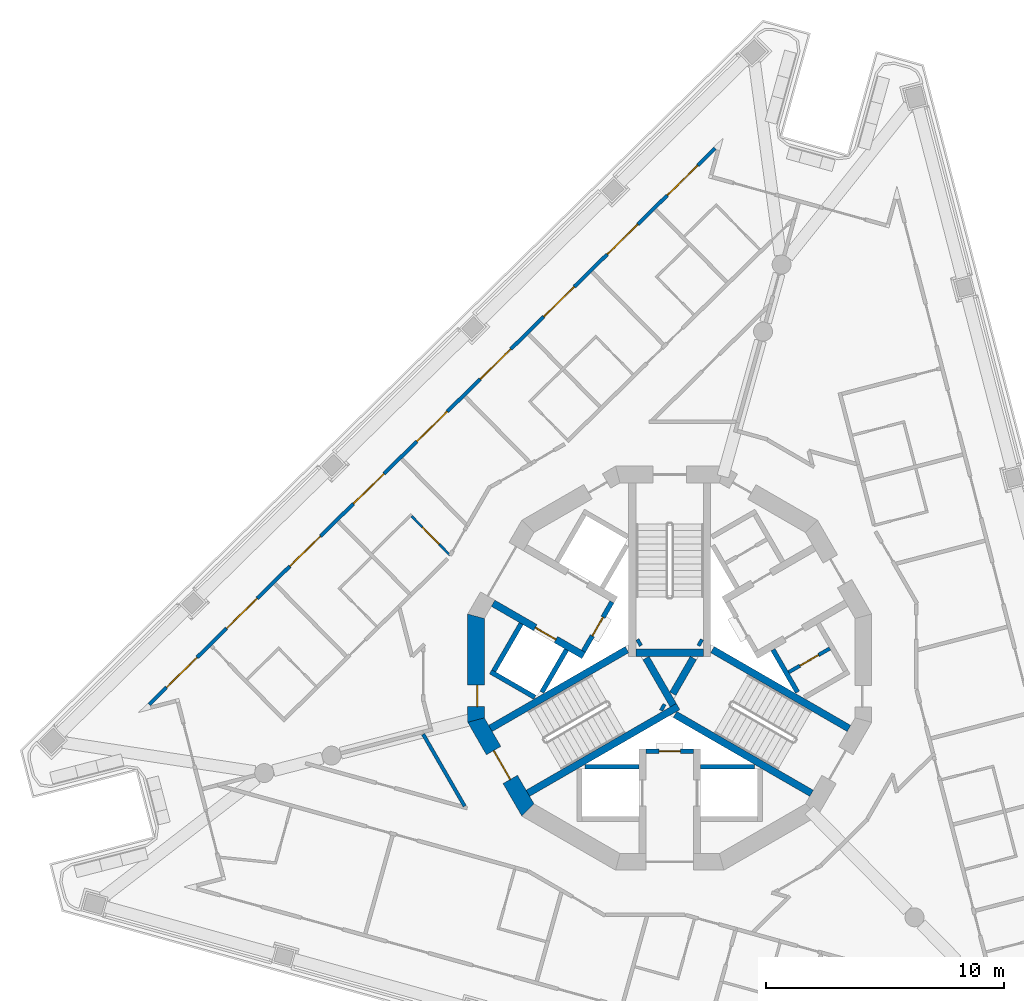
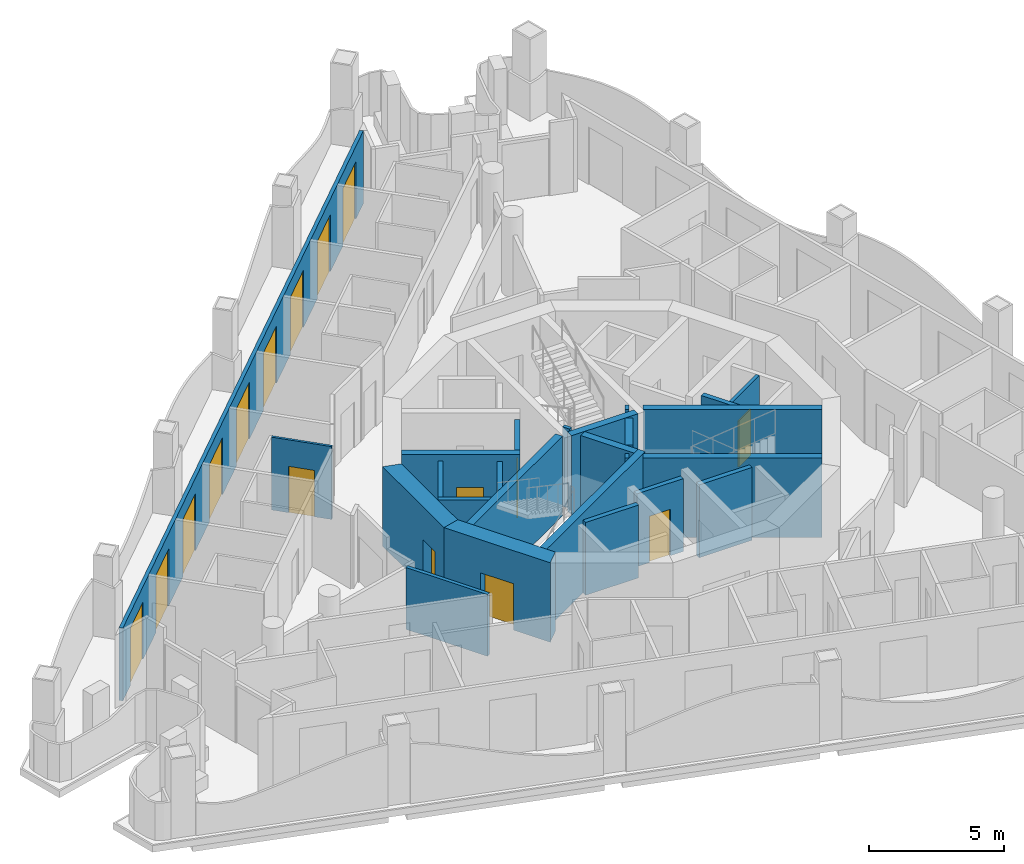
# One storey, part 4 of 14: 25 walls, 16 doors, 16 openings.
"""IFC4 building model written with IfcOpenShell, lengths in metres."""

from ifc_helpers import new_model, si_unit, direction, frame, frame_2d, origin, place, context, subcontext, project, spatial, polyline, rectangle, outline, extrude, material, layer, layer_set, type_object, element, fill, save


model = new_model("IFC4")

# Units and contexts
model_context = context("Model", 3, precision=1e-05, world=origin(), true_north=direction((0.0, 1.0)))
body_context = subcontext(model_context, "Body", "Model", "MODEL_VIEW")
ifc_project = project(units=[si_unit("LENGTHUNIT", "METRE"), si_unit("AREAUNIT", "SQUARE_METRE"), si_unit("VOLUMEUNIT", "CUBIC_METRE"), si_unit("PLANEANGLEUNIT", "RADIAN"), si_unit("MASSUNIT", "GRAM", prefix="KILO")], contexts=[model_context])

# Site, building, storey
site_placement = place(None, origin())
site = spatial("IfcSite", under=ifc_project, at=site_placement, CompositionType="ELEMENT")
building_placement = place(site_placement, origin())
building = spatial("IfcBuilding", under=site, at=building_placement, Name="Trine Commons Tower", CompositionType="ELEMENT")
storey_placement = place(building_placement, frame((0.0, 0.0, 242.10009765625)))
storey = spatial("IfcBuildingStorey", under=building, at=storey_placement, Name="L63", CompositionType="ELEMENT", Elevation=242.10009765625)

# Wall, opening, door
ifc_material_1 = material(Name="Plasterboard partition on steel studs", Category="steel")
ifc_layer_1 = layer(ifc_material_1, 0.14990234375)
ifc_layer_set_1 = layer_set([ifc_layer_1], Name="Plasterboard partition on steel studs")
wall_type_1 = type_object("IfcWallType", Name="Core room partition 150 mm, EI 60", PredefinedType="PARTITIONING", material=ifc_layer_set_1)
wall_1_placement = place(storey_placement, frame((85.006103515625, 62.330078125, 0.0), z_axis=(0.0, 0.0, 1.0), x_axis=(0.866010750942, 0.50002537861, 0.0)))
wall_1 = element("IfcWall", 1, at=wall_1_placement, inside=storey, type_object=wall_type_1, Name="Core room partition L63", PredefinedType="PARTITIONING", context=body_context, shape_type="SweptSolid", body=[
    extrude(rectangle(XDim=2.0, YDim=0.14990234375, at=frame_2d((1.0, 0.0))), origin(), (0.0, 0.0, 1.0), 3.2998046875),
])
opening_1_placement = place(wall_1_placement, frame((0.549560546875, 0.0, 0.0)))
opening_1 = element("IfcOpeningElement", 2, at=opening_1_placement, cuts=wall_1, Name="Opening K15.13", PredefinedType="OPENING", context=body_context, shape_type="SweptSolid", body=[
    extrude(rectangle(XDim=0.89990234375, YDim=2.10009765625, at=frame_2d((0.449951171875, 1.050048828125))), frame((0.0, 0.0849609375, 0.0), z_axis=(0.0, -1.0, 0.0), x_axis=(1.0, 0.0, 0.0)), (0.0, 0.0, 1.0), 0.169921875),
])
ifc_material_2 = material(Name="Steel door leaf, fire-rated", Category="steel")
door_type_1 = type_object("IfcDoorType", Name="Core room door, single leaf 900 x 2100, FD30S", OperationType="SINGLE_SWING_LEFT", PredefinedType="DOOR", material=ifc_material_2)
door_1_placement = place(opening_1_placement, frame((0.89990234375, 0.0, 0.0), z_axis=(0.0, 0.0, 1.0), x_axis=(-1.0, 0.0, 0.0)))
door_1 = element("IfcDoor", 3, at=door_1_placement, inside=storey, type_object=door_type_1, Name="Door to Parcel store L63", OperationType="SINGLE_SWING_LEFT", OverallHeight=2.10009765625, OverallWidth=0.89990234375, PredefinedType="DOOR", context=body_context, shape_type="SweptSolid", body=[
    extrude(rectangle(XDim=0.89990234375, YDim=2.10009765625, at=frame_2d((0.449951171875, 1.050048828125))), frame((0.0, 0.02490234375, 0.0), z_axis=(0.0, -1.0, 0.0), x_axis=(1.0, 0.0, 0.0)), (0.0, 0.0, 1.0), 0.050048828125),
])
fill(opening_1, door_1)

# Wall, openings, doors
ifc_material_3 = material(Name="Aluminium-framed insulated wall panel", Category="aluminium")
ifc_layer_2 = layer(ifc_material_3, 0.14990234375)
ifc_layer_set_2 = layer_set([ifc_layer_2], Name="Aluminium-framed insulated wall panel")
wall_type_2 = type_object("IfcWallType", Name="Glazed frame wall 150, EI 60", PredefinedType="SOLIDWALL", material=ifc_layer_set_2)
wall_2_placement = place(storey_placement, frame((57.98974609375, 60.867431640625, 0.0), z_axis=(0.0, 0.0, 1.0), x_axis=(0.713254682671, 0.700904956216, 0.0)))
wall_2 = element("IfcWall", 4, at=wall_2_placement, inside=storey, type_object=wall_type_2, Name="Glazed frame wall F1", PredefinedType="SOLIDWALL", context=body_context, shape_type="SweptSolid", body=[
    extrude(outline(polyline([(0.1494140625, 0.074951171875), (0.1494140625, -0.074951171875), (33.536865234375, -0.074951171875), (33.536865234375, 0.074951171875), (0.1494140625, 0.074951171875)])), origin(), (0.0, 0.0, 1.0), 3.2998046875),
])
opening_2_placement = place(wall_2_placement, frame((1.17138671875, 0.0, 0.0)))
opening_2 = element("IfcOpeningElement", 5, at=opening_2_placement, cuts=wall_2, Name="Opening BD-7F1-01", PredefinedType="OPENING", context=body_context, shape_type="SweptSolid", body=[
    extrude(rectangle(XDim=1.800048828125, YDim=2.60009765625, at=frame_2d((0.89990234375, 1.300048828125))), frame((0.0, 0.0849609375, 0.0), z_axis=(0.0, -1.0, 0.0), x_axis=(1.0, 0.0, 0.0)), (0.0, 0.0, 1.0), 0.169921875),
])
opening_3_placement = place(wall_2_placement, frame((4.71435546875, 0.0, 0.0)))
opening_3 = element("IfcOpeningElement", 6, at=opening_3_placement, cuts=wall_2, Name="Opening BD-7F1-02", PredefinedType="OPENING", context=body_context, shape_type="SweptSolid", body=[
    extrude(rectangle(XDim=1.800048828125, YDim=2.60009765625, at=frame_2d((0.89990234375, 1.300048828125))), frame((0.0, 0.0849609375, 0.0), z_axis=(0.0, -1.0, 0.0), x_axis=(1.0, 0.0, 0.0)), (0.0, 0.0, 1.0), 0.169921875),
])
opening_4_placement = place(wall_2_placement, frame((8.457275390625, 0.0, 0.0)))
opening_4 = element("IfcOpeningElement", 7, at=opening_4_placement, cuts=wall_2, Name="Opening BD-7F1-03", PredefinedType="OPENING", context=body_context, shape_type="SweptSolid", body=[
    extrude(rectangle(XDim=1.800048828125, YDim=2.60009765625, at=frame_2d((0.89990234375, 1.300048828125))), frame((0.0, 0.0849609375, 0.0), z_axis=(0.0, -1.0, 0.0), x_axis=(1.0, 0.0, 0.0)), (0.0, 0.0, 1.0), 0.169921875),
])
opening_5_placement = place(wall_2_placement, frame((12.2001953125, 0.0, 0.0)))
opening_5 = element("IfcOpeningElement", 8, at=opening_5_placement, cuts=wall_2, Name="Opening BD-7F1-04", PredefinedType="OPENING", context=body_context, shape_type="SweptSolid", body=[
    extrude(rectangle(XDim=1.800048828125, YDim=2.60009765625, at=frame_2d((0.89990234375, 1.300048828125))), frame((0.0, 0.0849609375, 0.0), z_axis=(0.0, -1.0, 0.0), x_axis=(1.0, 0.0, 0.0)), (0.0, 0.0, 1.0), 0.169921875),
])
opening_6_placement = place(wall_2_placement, frame((15.943115234375, 0.0, 0.0)))
opening_6 = element("IfcOpeningElement", 9, at=opening_6_placement, cuts=wall_2, Name="Opening BD-7F1-05", PredefinedType="OPENING", context=body_context, shape_type="SweptSolid", body=[
    extrude(rectangle(XDim=1.800048828125, YDim=2.60009765625, at=frame_2d((0.89990234375, 1.300048828125))), frame((0.0, 0.0849609375, 0.0), z_axis=(0.0, -1.0, 0.0), x_axis=(1.0, 0.0, 0.0)), (0.0, 0.0, 1.0), 0.169921875),
])
opening_7_placement = place(wall_2_placement, frame((19.68603515625, 0.0, 0.0)))
opening_7 = element("IfcOpeningElement", 10, at=opening_7_placement, cuts=wall_2, Name="Opening BD-7F1-06", PredefinedType="OPENING", context=body_context, shape_type="SweptSolid", body=[
    extrude(rectangle(XDim=1.800048828125, YDim=2.60009765625, at=frame_2d((0.89990234375, 1.300048828125))), frame((0.0, 0.0849609375, 0.0), z_axis=(0.0, -1.0, 0.0), x_axis=(1.0, 0.0, 0.0)), (0.0, 0.0, 1.0), 0.169921875),
])
opening_8_placement = place(wall_2_placement, frame((23.428955078125, 0.0, 0.0)))
opening_8 = element("IfcOpeningElement", 11, at=opening_8_placement, cuts=wall_2, Name="Opening BD-7F1-07", PredefinedType="OPENING", context=body_context, shape_type="SweptSolid", body=[
    extrude(rectangle(XDim=1.800048828125, YDim=2.60009765625, at=frame_2d((0.89990234375, 1.300048828125))), frame((0.0, 0.0849609375, 0.0), z_axis=(0.0, -1.0, 0.0), x_axis=(1.0, 0.0, 0.0)), (0.0, 0.0, 1.0), 0.169921875),
])
opening_9_placement = place(wall_2_placement, frame((27.171875, 0.0, 0.0)))
opening_9 = element("IfcOpeningElement", 12, at=opening_9_placement, cuts=wall_2, Name="Opening BD-7F1-08", PredefinedType="OPENING", context=body_context, shape_type="SweptSolid", body=[
    extrude(rectangle(XDim=1.800048828125, YDim=2.60009765625, at=frame_2d((0.89990234375, 1.300048828125))), frame((0.0, 0.0849609375, 0.0), z_axis=(0.0, -1.0, 0.0), x_axis=(1.0, 0.0, 0.0)), (0.0, 0.0, 1.0), 0.169921875),
])
opening_10_placement = place(wall_2_placement, frame((30.714599609375, 0.0, 0.0)))
opening_10 = element("IfcOpeningElement", 13, at=opening_10_placement, cuts=wall_2, Name="Opening BD-7F1-09", PredefinedType="OPENING", context=body_context, shape_type="SweptSolid", body=[
    extrude(rectangle(XDim=1.800048828125, YDim=2.60009765625, at=frame_2d((0.89990234375, 1.300048828125))), frame((0.0, 0.0849609375, 0.0), z_axis=(0.0, -1.0, 0.0), x_axis=(1.0, 0.0, 0.0)), (0.0, 0.0, 1.0), 0.169921875),
])
ifc_material_4 = material(Name="Anodised aluminium frame with double glazing", Category="aluminium")
door_type_2 = type_object("IfcDoorType", Name="Sliding loggia door 1800x2600", OperationType="SLIDING_TO_LEFT", PredefinedType="DOOR", material=ifc_material_4)
door_2_placement = place(opening_2_placement, origin())
door_2 = element("IfcDoor", 14, at=door_2_placement, inside=storey, type_object=door_type_2, Name="Loggia door F1 1", OperationType="SLIDING_TO_LEFT", OverallHeight=2.60009765625, OverallWidth=1.800048828125, PredefinedType="DOOR", context=body_context, shape_type="SweptSolid", body=[
    extrude(rectangle(XDim=1.800048828125, YDim=2.60009765625, at=frame_2d((0.89990234375, 1.300048828125))), frame((0.0, 0.02490234375, 0.0), z_axis=(0.0, -1.0, 0.0), x_axis=(1.0, 0.0, 0.0)), (0.0, 0.0, 1.0), 0.050048828125),
])
fill(opening_2, door_2)
door_3_placement = place(opening_3_placement, origin())
door_3 = element("IfcDoor", 15, at=door_3_placement, inside=storey, type_object=door_type_2, Name="Loggia door F1 2", OperationType="SLIDING_TO_LEFT", OverallHeight=2.60009765625, OverallWidth=1.800048828125, PredefinedType="DOOR", context=body_context, shape_type="SweptSolid", body=[
    extrude(rectangle(XDim=1.800048828125, YDim=2.60009765625, at=frame_2d((0.89990234375, 1.300048828125))), frame((0.0, 0.02490234375, 0.0), z_axis=(0.0, -1.0, 0.0), x_axis=(1.0, 0.0, 0.0)), (0.0, 0.0, 1.0), 0.050048828125),
])
fill(opening_3, door_3)
door_4_placement = place(opening_4_placement, origin())
door_4 = element("IfcDoor", 16, at=door_4_placement, inside=storey, type_object=door_type_2, Name="Loggia door F1 3", OperationType="SLIDING_TO_LEFT", OverallHeight=2.60009765625, OverallWidth=1.800048828125, PredefinedType="DOOR", context=body_context, shape_type="SweptSolid", body=[
    extrude(rectangle(XDim=1.800048828125, YDim=2.60009765625, at=frame_2d((0.89990234375, 1.300048828125))), frame((0.0, 0.02490234375, 0.0), z_axis=(0.0, -1.0, 0.0), x_axis=(1.0, 0.0, 0.0)), (0.0, 0.0, 1.0), 0.050048828125),
])
fill(opening_4, door_4)
door_5_placement = place(opening_5_placement, origin())
door_5 = element("IfcDoor", 17, at=door_5_placement, inside=storey, type_object=door_type_2, Name="Loggia door F1 4", OperationType="SLIDING_TO_LEFT", OverallHeight=2.60009765625, OverallWidth=1.800048828125, PredefinedType="DOOR", context=body_context, shape_type="SweptSolid", body=[
    extrude(rectangle(XDim=1.800048828125, YDim=2.60009765625, at=frame_2d((0.89990234375, 1.300048828125))), frame((0.0, 0.02490234375, 0.0), z_axis=(0.0, -1.0, 0.0), x_axis=(1.0, 0.0, 0.0)), (0.0, 0.0, 1.0), 0.050048828125),
])
fill(opening_5, door_5)
door_6_placement = place(opening_6_placement, origin())
door_6 = element("IfcDoor", 18, at=door_6_placement, inside=storey, type_object=door_type_2, Name="Loggia door F1 5", OperationType="SLIDING_TO_LEFT", OverallHeight=2.60009765625, OverallWidth=1.800048828125, PredefinedType="DOOR", context=body_context, shape_type="SweptSolid", body=[
    extrude(rectangle(XDim=1.800048828125, YDim=2.60009765625, at=frame_2d((0.89990234375, 1.300048828125))), frame((0.0, 0.02490234375, 0.0), z_axis=(0.0, -1.0, 0.0), x_axis=(1.0, 0.0, 0.0)), (0.0, 0.0, 1.0), 0.050048828125),
])
fill(opening_6, door_6)
door_7_placement = place(opening_7_placement, origin())
door_7 = element("IfcDoor", 19, at=door_7_placement, inside=storey, type_object=door_type_2, Name="Loggia door F1 6", OperationType="SLIDING_TO_LEFT", OverallHeight=2.60009765625, OverallWidth=1.800048828125, PredefinedType="DOOR", context=body_context, shape_type="SweptSolid", body=[
    extrude(rectangle(XDim=1.800048828125, YDim=2.60009765625, at=frame_2d((0.89990234375, 1.300048828125))), frame((0.0, 0.02490234375, 0.0), z_axis=(0.0, -1.0, 0.0), x_axis=(1.0, 0.0, 0.0)), (0.0, 0.0, 1.0), 0.050048828125),
])
fill(opening_7, door_7)
door_8_placement = place(opening_8_placement, origin())
door_8 = element("IfcDoor", 20, at=door_8_placement, inside=storey, type_object=door_type_2, Name="Loggia door F1 7", OperationType="SLIDING_TO_LEFT", OverallHeight=2.60009765625, OverallWidth=1.800048828125, PredefinedType="DOOR", context=body_context, shape_type="SweptSolid", body=[
    extrude(rectangle(XDim=1.800048828125, YDim=2.60009765625, at=frame_2d((0.89990234375, 1.300048828125))), frame((0.0, 0.02490234375, 0.0), z_axis=(0.0, -1.0, 0.0), x_axis=(1.0, 0.0, 0.0)), (0.0, 0.0, 1.0), 0.050048828125),
])
fill(opening_8, door_8)
door_9_placement = place(opening_9_placement, origin())
door_9 = element("IfcDoor", 21, at=door_9_placement, inside=storey, type_object=door_type_2, Name="Loggia door F1 8", OperationType="SLIDING_TO_LEFT", OverallHeight=2.60009765625, OverallWidth=1.800048828125, PredefinedType="DOOR", context=body_context, shape_type="SweptSolid", body=[
    extrude(rectangle(XDim=1.800048828125, YDim=2.60009765625, at=frame_2d((0.89990234375, 1.300048828125))), frame((0.0, 0.02490234375, 0.0), z_axis=(0.0, -1.0, 0.0), x_axis=(1.0, 0.0, 0.0)), (0.0, 0.0, 1.0), 0.050048828125),
])
fill(opening_9, door_9)
door_10_placement = place(opening_10_placement, origin())
door_10 = element("IfcDoor", 22, at=door_10_placement, inside=storey, type_object=door_type_2, Name="Loggia door F1 9", OperationType="SLIDING_TO_LEFT", OverallHeight=2.60009765625, OverallWidth=1.800048828125, PredefinedType="DOOR", context=body_context, shape_type="SweptSolid", body=[
    extrude(rectangle(XDim=1.800048828125, YDim=2.60009765625, at=frame_2d((0.89990234375, 1.300048828125))), frame((0.0, 0.02490234375, 0.0), z_axis=(0.0, -1.0, 0.0), x_axis=(1.0, 0.0, 0.0)), (0.0, 0.0, 1.0), 0.050048828125),
])
fill(opening_10, door_10)

# Wall, opening, door
ifc_material_5 = material(Name="Fire-rated gypsum shaft wall system")
ifc_layer_3 = layer(ifc_material_5, 0.199951171875)
ifc_layer_set_3 = layer_set([ifc_layer_3], Name="Fire-rated gypsum shaft wall system")
wall_type_3 = type_object("IfcWallType", Name="Lobby end wall 200 mm, EI 120", PredefinedType="PARTITIONING", material=ifc_layer_set_3)
wall_3_placement = place(storey_placement, frame((77.569091796875, 65.2890625, 0.0), z_axis=(0.0, 0.0, 1.0), x_axis=(-0.50012165622, -0.865955154139, 0.0)))
wall_3 = element("IfcWall", 23, at=wall_3_placement, inside=storey, type_object=wall_type_3, Name="Lobby end wall L63", PredefinedType="PARTITIONING", context=body_context, shape_type="SweptSolid", body=[
    extrude(rectangle(XDim=2.39990234375, YDim=0.199951171875, at=frame_2d((1.199951171875, 0.0))), origin(), (0.0, 0.0, 1.0), 3.2998046875),
])
opening_11_placement = place(wall_3_placement, frame((0.749755859375, 0.0, 0.0)))
opening_11 = element("IfcOpeningElement", 24, at=opening_11_placement, cuts=wall_3, Name="Opening K15.07", PredefinedType="OPENING", context=body_context, shape_type="SweptSolid", body=[
    extrude(rectangle(XDim=0.89990234375, YDim=2.10009765625, at=frame_2d((0.449951171875, 1.050048828125))), frame((0.0, 0.10986328125, 0.0), z_axis=(0.0, -1.0, 0.0), x_axis=(1.0, 0.0, 0.0)), (0.0, 0.0, 1.0), 0.219970703125),
])
door_type_3 = type_object("IfcDoorType", Name="Riser access door, single leaf 900 x 2100, FD60", OperationType="SINGLE_SWING_LEFT", PredefinedType="DOOR", material=ifc_material_2)
door_11_placement = place(opening_11_placement, frame((0.89990234375, 0.0, 0.0), z_axis=(0.0, 0.0, 1.0), x_axis=(-1.0, 0.0, 0.0)))
door_11 = element("IfcDoor", 25, at=door_11_placement, inside=storey, type_object=door_type_3, Name="Riser door, Mechanical riser L63", OperationType="SINGLE_SWING_RIGHT", OverallHeight=2.10009765625, OverallWidth=0.89990234375, PredefinedType="DOOR", context=body_context, shape_type="SweptSolid", body=[
    extrude(rectangle(XDim=0.89990234375, YDim=2.10009765625, at=frame_2d((0.449951171875, 1.050048828125))), frame((0.0, 0.02490234375, 0.0), z_axis=(0.0, -1.0, 0.0), x_axis=(1.0, 0.0, 0.0)), (0.0, 0.0, 1.0), 0.050048828125),
])
fill(opening_11, door_11)

wall_4_placement = place(storey_placement, frame((79.0, 59.0, 0.0), z_axis=(0.0, 0.0, 1.0), x_axis=(1.0, 0.0, 0.0)))
wall_4 = element("IfcWall", 26, at=wall_4_placement, inside=storey, type_object=wall_type_3, Name="Lobby end wall L63", PredefinedType="PARTITIONING", context=body_context, shape_type="SweptSolid", body=[
    extrude(rectangle(XDim=2.0, YDim=0.199951171875, at=frame_2d((1.0, 0.0))), origin(), (0.0, 0.0, 1.0), 3.2998046875),
])
opening_12_placement = place(wall_4_placement, frame((0.550048828125, 0.0, 0.0)))
opening_12 = element("IfcOpeningElement", 27, at=opening_12_placement, cuts=wall_4, Name="Opening K15.09", PredefinedType="OPENING", context=body_context, shape_type="SweptSolid", body=[
    extrude(rectangle(XDim=0.89990234375, YDim=2.10009765625, at=frame_2d((0.449951171875, 1.050048828125))), frame((0.0, 0.10986328125, 0.0), z_axis=(0.0, -1.0, 0.0), x_axis=(1.0, 0.0, 0.0)), (0.0, 0.0, 1.0), 0.219970703125),
])
door_12_placement = place(opening_12_placement, frame((0.89990234375, 0.0, 0.0), z_axis=(0.0, 0.0, 1.0), x_axis=(-1.0, 0.0, 0.0)))
door_12 = element("IfcDoor", 28, at=door_12_placement, inside=storey, type_object=door_type_3, Name="Riser door, Communications riser L63", OperationType="SINGLE_SWING_RIGHT", OverallHeight=2.10009765625, OverallWidth=0.89990234375, PredefinedType="DOOR", context=body_context, shape_type="SweptSolid", body=[
    extrude(rectangle(XDim=0.89990234375, YDim=2.10009765625, at=frame_2d((0.449951171875, 1.050048828125))), frame((0.0, 0.02490234375, 0.0), z_axis=(0.0, -1.0, 0.0), x_axis=(1.0, 0.0, 0.0)), (0.0, 0.0, 1.0), 0.050048828125),
])
fill(opening_12, door_12)

ifc_material_6 = material(Name="Concrete C50/60", Category="concrete")
ifc_layer_4 = layer(ifc_material_6, 0.300048828125)
ifc_layer_set_4 = layer_set([ifc_layer_4], Name="Concrete C50/60")
wall_type_4 = type_object("IfcWallType", Name="RC shear wall 300 mm, C50/60", PredefinedType="SHEAR", material=ifc_layer_set_4)
wall_5_placement = place(storey_placement, frame((76.381103515625, 63.031005859375, 0.0), z_axis=(0.0, 0.0, 1.0), x_axis=(-0.866059941101, 0.499940174841, 0.0)))
wall_5 = element("IfcWall", 29, at=wall_5_placement, inside=storey, type_object=wall_type_4, Name="Core cross wall SWC-01 L63", PredefinedType="SHEAR", context=body_context, shape_type="SweptSolid", body=[
    extrude(rectangle(XDim=4.400390625, YDim=0.300048828125, at=frame_2d((2.2001953125, 0.0))), origin(), (0.0, 0.0, 1.0), 3.599853515625),
])
opening_13_placement = place(wall_5_placement, frame((1.350341796875, 0.0, 0.0)))
opening_13 = element("IfcOpeningElement", 30, at=opening_13_placement, cuts=wall_5, Name="Opening LD7", PredefinedType="OPENING", context=body_context, shape_type="SweptSolid", body=[
    extrude(rectangle(XDim=1.0, YDim=2.10009765625, at=frame_2d((0.5, 1.050048828125))), frame((0.0, 0.159912109375, 0.0), z_axis=(0.0, -1.0, 0.0), x_axis=(1.0, 0.0, 0.0)), (0.0, 0.0, 1.0), 0.320068359375),
])
ifc_material_7 = material(Name="Stainless steel sliding door leaves", Category="steel")
door_type_4 = type_object("IfcDoorType", Name="Lift landing door, centre-opening sliding 1000 x 2100, FD90", OperationType="DOUBLE_DOOR_SLIDING", PredefinedType="DOOR", material=ifc_material_7)
door_13_placement = place(opening_13_placement, origin())
door_13 = element("IfcDoor", 31, at=door_13_placement, inside=storey, type_object=door_type_4, Name="Lift landing door HR3 L63", OperationType="DOUBLE_DOOR_SLIDING", OverallHeight=2.10009765625, OverallWidth=1.0, PredefinedType="DOOR", context=body_context, shape_type="SweptSolid", body=[
    extrude(rectangle(XDim=1.0, YDim=2.10009765625, at=frame_2d((0.5, 1.050048828125))), frame((0.0, 0.02490234375, 0.0), z_axis=(0.0, -1.0, 0.0), x_axis=(1.0, 0.0, 0.0)), (0.0, 0.0, 1.0), 0.050048828125),
])
fill(opening_13, door_13)

# Walls
wall_6_placement = place(storey_placement, frame((78.199951171875, 63.280029296875, 0.0), z_axis=(0.0, 0.0, 1.0), x_axis=(-0.866009627307, -0.500027324665, 0.0)))
element("IfcWall", 32, at=wall_6_placement, inside=storey, type_object=wall_type_4, Name="Core cross wall SWC-07 L63", PredefinedType="SHEAR", context=body_context, shape_type="SweptSolid", body=[
    extrude(rectangle(XDim=6.631591796875, YDim=0.300048828125, at=frame_2d((3.31591796875, 0.0))), origin(), (0.0, 0.0, 1.0), 3.599853515625),
])
wall_7_placement = place(storey_placement, frame((78.779052734375, 63.614013671875, 0.0), z_axis=(0.0, 0.0, 1.0), x_axis=(-0.867737973955, -0.497021939713, 0.0)))
element("IfcWall", 33, at=wall_7_placement, inside=storey, type_object=wall_type_4, Name="Core cross wall SWC-09 L63", PredefinedType="SHEAR", context=body_context, shape_type="SweptSolid", body=[
    extrude(rectangle(XDim=0.14892578125, YDim=0.300048828125, at=frame_2d((0.074462890625, 0.0))), origin(), (0.0, 0.0, 1.0), 3.599853515625),
])
wall_8_placement = place(storey_placement, frame((79.0029296875, 62.926025390625, 0.0), z_axis=(0.0, 0.0, 1.0), x_axis=(0.499965247104, -0.866045467449, 0.0)))
element("IfcWall", 34, at=wall_8_placement, inside=storey, type_object=wall_type_4, Name="Core cross wall SWC-10 L63", PredefinedType="SHEAR", context=body_context, shape_type="SweptSolid", body=[
    extrude(rectangle(XDim=2.292236328125, YDim=0.300048828125, at=frame_2d((1.14599609375, 0.0))), origin(), (0.0, 0.0, 1.0), 3.599853515625),
])
wall_9_placement = place(storey_placement, frame((79.64599609375, 60.885986328125, 0.0), z_axis=(0.0, 0.0, 1.0), x_axis=(0.867331893649, -0.497730234424, 0.0)))
element("IfcWall", 35, at=wall_9_placement, inside=storey, type_object=wall_type_4, Name="Core cross wall SWC-11 L63", PredefinedType="SHEAR", context=body_context, shape_type="SweptSolid", body=[
    extrude(rectangle(XDim=0.148681640625, YDim=0.300048828125, at=frame_2d((0.07421875, 0.0))), origin(), (0.0, 0.0, 1.0), 3.599853515625),
])
wall_10_placement = place(storey_placement, frame((80.1298828125, 61.424072265625, 0.0), z_axis=(0.0, 0.0, 1.0), x_axis=(0.500014901547, 0.866016800201, 0.0)))
element("IfcWall", 36, at=wall_10_placement, inside=storey, type_object=wall_type_4, Name="Core cross wall SWC-12 L63", PredefinedType="SHEAR", context=body_context, shape_type="SweptSolid", body=[
    extrude(rectangle(XDim=1.734375, YDim=0.300048828125, at=frame_2d((0.8671875, 0.0))), origin(), (0.0, 0.0, 1.0), 3.599853515625),
])
wall_11_placement = place(storey_placement, frame((80.22509765625, 60.552001953125, 0.0), z_axis=(0.0, 0.0, 1.0), x_axis=(0.866009627307, -0.500027324665, 0.0)))
element("IfcWall", 37, at=wall_11_placement, inside=storey, type_object=wall_type_4, Name="Core cross wall SWC-13 L63", PredefinedType="SHEAR", context=body_context, shape_type="SweptSolid", body=[
    extrude(rectangle(XDim=6.631591796875, YDim=0.300048828125, at=frame_2d((3.31591796875, 0.0))), origin(), (0.0, 0.0, 1.0), 3.599853515625),
])
wall_12_placement = place(storey_placement, frame((80.35400390625, 60.885986328125, 0.0), z_axis=(0.0, 0.0, 1.0), x_axis=(-0.866032430508, -0.49998782916, 0.0)))
element("IfcWall", 38, at=wall_12_placement, inside=storey, type_object=wall_type_4, Name="Core cross wall SWC-14 L63", PredefinedType="SHEAR", context=body_context, shape_type="SweptSolid", body=[
    extrude(rectangle(XDim=7.300048828125, YDim=0.300048828125, at=frame_2d((3.64990234375, 0.0))), origin(), (0.0, 0.0, 1.0), 3.599853515625),
])
wall_13_placement = place(storey_placement, frame((81.220947265625, 63.614013671875, 0.0), z_axis=(0.0, 0.0, 1.0), x_axis=(0.867737973955, -0.497021939713, 0.0)))
element("IfcWall", 39, at=wall_13_placement, inside=storey, type_object=wall_type_4, Name="Core cross wall SWC-15 L63", PredefinedType="SHEAR", context=body_context, shape_type="SweptSolid", body=[
    extrude(rectangle(XDim=0.14892578125, YDim=0.300048828125, at=frame_2d((0.074462890625, 0.0))), origin(), (0.0, 0.0, 1.0), 3.599853515625),
])
wall_14_placement = place(storey_placement, frame((81.425048828125, 63.15087890625, 0.0), z_axis=(0.0, 0.0, 1.0), x_axis=(-1.0, 0.0, 0.0)))
element("IfcWall", 40, at=wall_14_placement, inside=storey, type_object=wall_type_4, Name="Core cross wall SWC-16 L63", PredefinedType="SHEAR", context=body_context, shape_type="SweptSolid", body=[
    extrude(rectangle(XDim=2.85009765625, YDim=0.300048828125, at=frame_2d((1.425048828125, 0.0))), origin(), (0.0, 0.0, 1.0), 3.599853515625),
])
wall_15_placement = place(storey_placement, frame((81.800048828125, 63.280029296875, 0.0), z_axis=(0.0, 0.0, 1.0), x_axis=(0.866009627307, -0.500027324665, 0.0)))
element("IfcWall", 41, at=wall_15_placement, inside=storey, type_object=wall_type_4, Name="Core cross wall SWC-18 L63", PredefinedType="SHEAR", context=body_context, shape_type="SweptSolid", body=[
    extrude(rectangle(XDim=6.631591796875, YDim=0.300048828125, at=frame_2d((3.31591796875, 0.0))), origin(), (0.0, 0.0, 1.0), 3.599853515625),
])

# Wall, opening, door
ifc_layer_5 = layer(ifc_material_6, 0.699951171875)
ifc_layer_set_5 = layer_set([ifc_layer_5], Name="Concrete C50/60")
wall_type_5 = type_object("IfcWallType", Name="RC shear wall 700 mm, C50/60", PredefinedType="SHEAR", material=ifc_layer_set_5)
wall_16_placement = place(storey_placement, frame((71.849853515625, 64.777587890625, 0.0), z_axis=(0.0, 0.0, 1.0), x_axis=(0.0, -1.0, 0.0)))
wall_16 = element("IfcWall", 42, at=wall_16_placement, inside=storey, type_object=wall_type_5, Name="Core wall CWG-07 L63", PredefinedType="SHEAR", context=body_context, shape_type="SweptSolid", body=[
    extrude(outline(polyline([(0.0, -0.35009765625), (4.55517578125, -0.35009765625), (4.36767578125, 0.35009765625), (0.1875, 0.35009765625), (0.0, -0.35009765625)])), origin(), (0.0, 0.0, 1.0), 3.599853515625),
])
opening_14_placement = place(wall_16_placement, frame((2.99169921875, 0.0, 0.0)))
opening_14 = element("IfcOpeningElement", 43, at=opening_14_placement, cuts=wall_16, Name="Opening K15.16", PredefinedType="OPENING", context=body_context, shape_type="SweptSolid", body=[
    extrude(rectangle(XDim=0.89990234375, YDim=2.10009765625, at=frame_2d((0.449951171875, 1.050048828125))), frame((0.0, 0.35986328125, 0.0), z_axis=(0.0, -1.0, 0.0), x_axis=(1.0, 0.0, 0.0)), (0.0, 0.0, 1.0), 0.719970703125),
])
door_14_placement = place(opening_14_placement, origin())
door_14 = element("IfcDoor", 44, at=door_14_placement, inside=storey, type_object=door_type_1, Name="Door to Pantry L63", OperationType="SINGLE_SWING_RIGHT", OverallHeight=2.10009765625, OverallWidth=0.89990234375, PredefinedType="DOOR", context=body_context, shape_type="SweptSolid", body=[
    extrude(rectangle(XDim=0.89990234375, YDim=2.10009765625, at=frame_2d((0.449951171875, 1.050048828125))), frame((0.0, 0.0751953125, 0.0), z_axis=(0.0, -1.0, 0.0), x_axis=(1.0, 0.0, 0.0)), (0.0, 0.0, 1.0), 0.050048828125),
])
fill(opening_14, door_14)

wall_17_placement = place(storey_placement, frame((71.802978515625, 60.3974609375, 0.0), z_axis=(0.0, 0.0, 1.0), x_axis=(0.499983800959, -0.866034756103, 0.0)))
wall_17 = element("IfcWall", 45, at=wall_17_placement, inside=storey, type_object=wall_type_5, Name="Core wall CWG-08 L63", PredefinedType="SHEAR", context=body_context, shape_type="SweptSolid", body=[
    extrude(outline(polyline([(0.0, -0.35009765625), (4.55517578125, -0.35009765625), (4.36767578125, 0.35009765625), (0.1875, 0.35009765625), (0.0, -0.35009765625)])), origin(), (0.0, 0.0, 1.0), 3.599853515625),
])
opening_15_placement = place(wall_17_placement, frame((1.577392578125, 0.0, 0.0)))
opening_15 = element("IfcOpeningElement", 46, at=opening_15_placement, cuts=wall_17, Name="Opening K15.02", PredefinedType="OPENING", context=body_context, shape_type="SweptSolid", body=[
    extrude(rectangle(XDim=1.39990234375, YDim=2.10009765625, at=frame_2d((0.699951171875, 1.050048828125))), frame((0.0, 0.35986328125, 0.0), z_axis=(0.0, -1.0, 0.0), x_axis=(1.0, 0.0, 0.0)), (0.0, 0.0, 1.0), 0.719970703125),
])
ifc_material_8 = material(Name="Steel door leaves, fire-rated", Category="steel")
door_type_5 = type_object("IfcDoorType", Name="Stair door, double leaf 1400 x 2100, FD90", OperationType="DOUBLE_DOOR_SINGLE_SWING", PredefinedType="DOOR", material=ifc_material_8)
door_15_placement = place(opening_15_placement, origin())
door_15 = element("IfcDoor", 47, at=door_15_placement, inside=storey, type_object=door_type_5, Name="Stair door to Exit stair ST2C L63", OperationType="DOUBLE_DOOR_SINGLE_SWING", OverallHeight=2.10009765625, OverallWidth=1.39990234375, PredefinedType="DOOR", context=body_context, shape_type="SweptSolid", body=[
    extrude(rectangle(XDim=1.39990234375, YDim=2.10009765625, at=frame_2d((0.699951171875, 1.050048828125))), frame((0.0, 0.02490234375, 0.0), z_axis=(0.0, -1.0, 0.0), x_axis=(1.0, 0.0, 0.0)), (0.0, 0.0, 1.0), 0.050048828125),
])
fill(opening_15, door_15)

# Walls
ifc_layer_6 = layer(ifc_material_5, 0.199951171875)
ifc_layer_set_6 = layer_set([ifc_layer_6], Name="Fire-rated gypsum shaft wall system")
wall_type_6 = type_object("IfcWallType", Name="Shaft wall 200 mm, EI 120", PredefinedType="PARTITIONING", material=ifc_layer_set_6)
wall_18_placement = place(storey_placement, frame((73.7509765625, 64.3759765625, 0.0), z_axis=(0.0, 0.0, 1.0), x_axis=(-0.500136062276, -0.86594683394, 0.0)))
element("IfcWall", 48, at=wall_18_placement, inside=storey, type_object=wall_type_6, Name="Shaft wall L63", PredefinedType="PARTITIONING", context=body_context, shape_type="SweptSolid", body=[
    extrude(rectangle(XDim=2.299072265625, YDim=0.199951171875, at=frame_2d((1.1494140625, 0.0))), origin(), (0.0, 0.0, 1.0), 3.2998046875),
])
wall_19_placement = place(storey_placement, frame((74.324951171875, 61.27392578125, 0.0), z_axis=(0.0, 0.0, 1.0), x_axis=(-0.866102336459, 0.499866725018, 0.0)))
element("IfcWall", 49, at=wall_19_placement, inside=storey, type_object=wall_type_6, Name="Shaft wall L63", PredefinedType="PARTITIONING", context=body_context, shape_type="SweptSolid", body=[
    extrude(rectangle(XDim=2.1484375, YDim=0.199951171875, at=frame_2d((1.07421875, 0.0))), origin(), (0.0, 0.0, 1.0), 3.2998046875),
])
wall_20_placement = place(storey_placement, frame((75.656005859375, 63.27587890625, 0.0), z_axis=(0.0, 0.0, 1.0), x_axis=(-0.500271688072, -0.86586848777, 0.0)))
element("IfcWall", 50, at=wall_20_placement, inside=storey, type_object=wall_type_6, Name="Shaft wall L63", PredefinedType="PARTITIONING", context=body_context, shape_type="SweptSolid", body=[
    extrude(rectangle(XDim=2.064697265625, YDim=0.199951171875, at=frame_2d((1.0322265625, 0.0))), origin(), (0.0, 0.0, 1.0), 3.2998046875),
])
for number, where, z_axis, x_axis, name in (
    (51, (78.699951171875, 58.35009765625, 0.0), (0.0, 0.0, 1.0), (-1.0, 0.0, 0.0), "Shaft wall L63"),
    (52, (81.300048828125, 58.35009765625, 0.0), (0.0, 0.0, 1.0), (1.0, 0.0, 0.0), "Shaft wall L63"),
):
    element("IfcWall", number, at=place(storey_placement, frame(where, z_axis=z_axis, x_axis=x_axis)), inside=storey, type_object=wall_type_6, Name=name, PredefinedType="PARTITIONING", context=body_context, shape_type="SweptSolid", body=[
        extrude(rectangle(XDim=2.264892578125, YDim=0.199951171875, at=frame_2d((1.13232421875, 0.0))), origin(), (0.0, 0.0, 1.0), 3.2998046875),
    ])
wall_21_placement = place(storey_placement, frame((84.343994140625, 63.27587890625, 0.0), z_axis=(0.0, 0.0, 1.0), x_axis=(0.500271688072, -0.86586848777, 0.0)))
element("IfcWall", 53, at=wall_21_placement, inside=storey, type_object=wall_type_6, Name="Shaft wall L63", PredefinedType="PARTITIONING", context=body_context, shape_type="SweptSolid", body=[
    extrude(rectangle(XDim=2.064697265625, YDim=0.199951171875, at=frame_2d((1.0322265625, 0.0))), origin(), (0.0, 0.0, 1.0), 3.2998046875),
])
ifc_material_9 = material(Name="Gypsum plasterboard on steel stud", Category="steel")
ifc_layer_7 = layer(ifc_material_9, 0.14990234375)
ifc_layer_set_7 = layer_set([ifc_layer_7], Name="Gypsum plasterboard on steel stud")
wall_type_7 = type_object("IfcWallType", Name="Unit and corridor wall 150 mm, EI 60", PredefinedType="PARTITIONING", material=ifc_layer_set_7)
wall_22_placement = place(storey_placement, frame((69.625, 59.719970703125, 0.0), z_axis=(0.0, 0.0, 1.0), x_axis=(0.50005889006, -0.865991400923, 0.0)))
element("IfcWall", 54, at=wall_22_placement, inside=storey, type_object=wall_type_7, Name="Partition 025", PredefinedType="PARTITIONING", context=body_context, shape_type="SweptSolid", body=[
    extrude(rectangle(XDim=3.49658203125, YDim=0.14990234375, at=frame_2d((1.748291015625, 0.0))), origin(), (0.0, 0.0, 1.0), 2.7998046875),
])

# Wall, opening, door
ifc_layer_8 = layer(ifc_material_9, 0.10009765625)
ifc_layer_set_8 = layer_set([ifc_layer_8], Name="Gypsum plasterboard on steel stud")
wall_type_8 = type_object("IfcWallType", Name="Unit partition 100 mm, no rating", PredefinedType="PARTITIONING", material=ifc_layer_set_8)
wall_23_placement = place(storey_placement, frame((69.135986328125, 68.8974609375, 0.0), z_axis=(0.0, 0.0, 1.0), x_axis=(0.701179250169, -0.712985034297, 0.0)))
wall_23 = element("IfcWall", 55, at=wall_23_placement, inside=storey, type_object=wall_type_8, Name="Partition 022", PredefinedType="PARTITIONING", context=body_context, shape_type="SweptSolid", body=[
    extrude(rectangle(XDim=2.316162109375, YDim=0.10009765625, at=frame_2d((1.158203125, 0.0))), origin(), (0.0, 0.0, 1.0), 3.2998046875),
])
opening_16_placement = place(wall_23_placement, frame((0.657958984375, 0.0, 0.0)))
opening_16 = element("IfcOpeningElement", 56, at=opening_16_placement, cuts=wall_23, Name="Opening D-7A30", PredefinedType="OPENING", context=body_context, shape_type="SweptSolid", body=[
    extrude(rectangle(XDim=1.0, YDim=2.10009765625, at=frame_2d((0.5, 1.050048828125))), frame((0.0, 0.06005859375, 0.0), z_axis=(0.0, -1.0, 0.0), x_axis=(1.0, 0.0, 0.0)), (0.0, 0.0, 1.0), 0.1201171875),
])
ifc_material_10 = material(Name="Painted timber", Category="wood")
door_type_6 = type_object("IfcDoorType", Name="Internal door 1000 x 2100, NOT RATED", OperationType="NOTDEFINED", PredefinedType="DOOR", material=ifc_material_10)
door_16_placement = place(opening_16_placement, origin())
door_16 = element("IfcDoor", 57, at=door_16_placement, inside=storey, type_object=door_type_6, Name="Door D-7A30", OperationType="SINGLE_SWING_LEFT", OverallHeight=2.10009765625, OverallWidth=1.0, PredefinedType="DOOR", context=body_context, shape_type="SweptSolid", body=[
    extrude(rectangle(XDim=1.0, YDim=2.10009765625, at=frame_2d((0.5, 1.050048828125))), frame((0.0, 0.02490234375, 0.0), z_axis=(0.0, -1.0, 0.0), x_axis=(1.0, 0.0, 0.0)), (0.0, 0.0, 1.0), 0.050048828125),
])
fill(opening_16, door_16)

save(model, "model.ifc")
